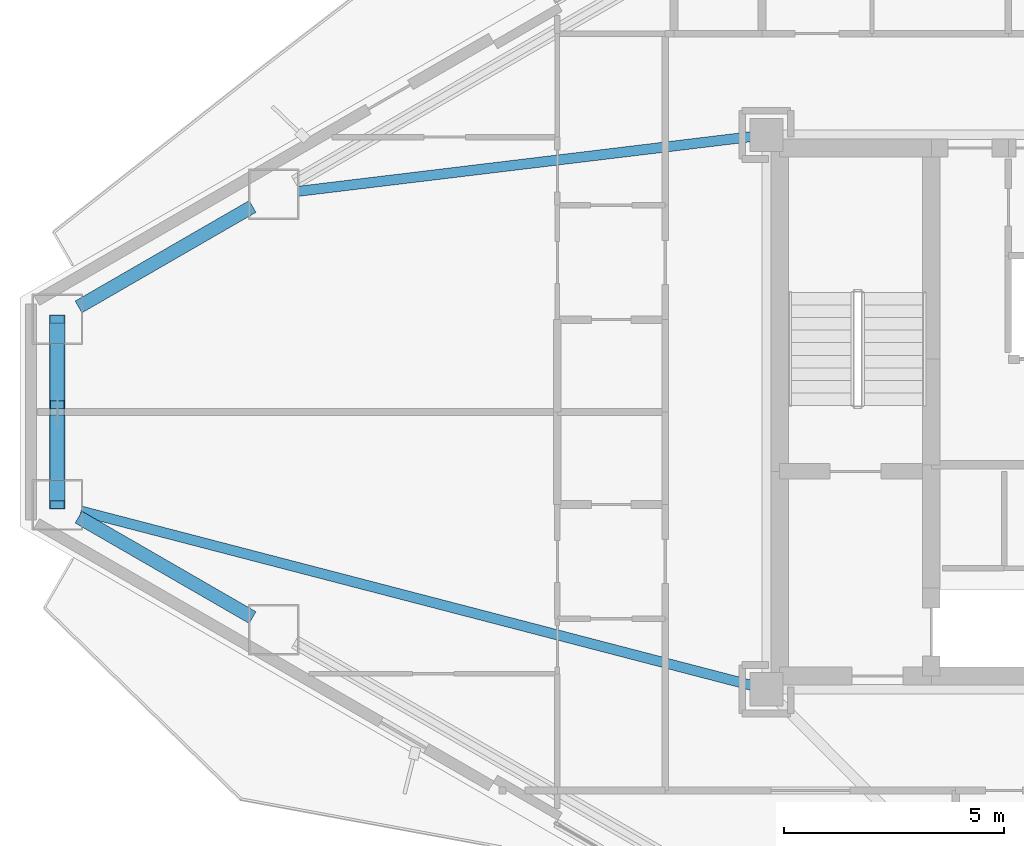
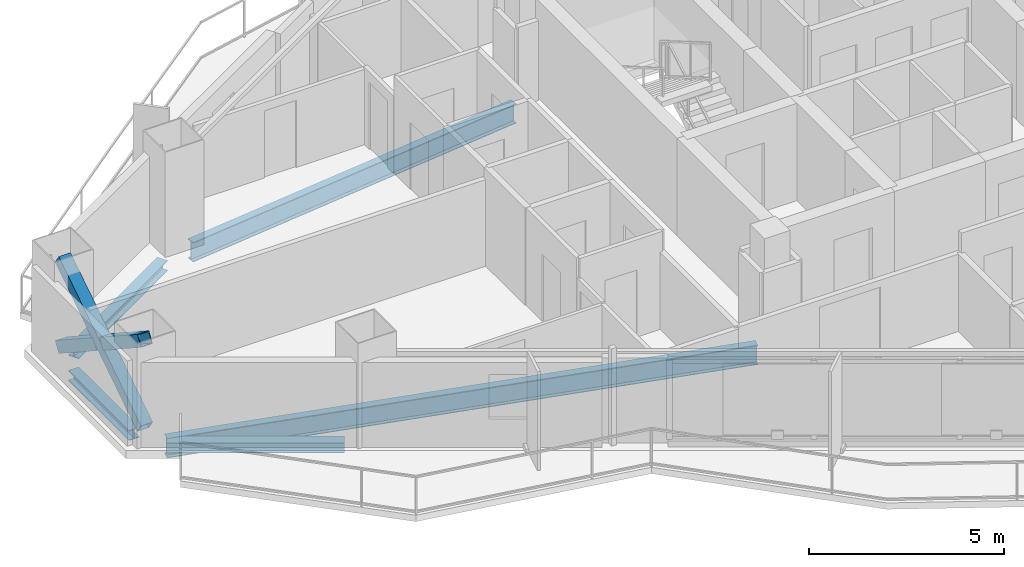
# One storey, part 5 of 23: 5 beams, 3 members.
"""IFC4 building model written with IfcOpenShell, lengths in metres."""

from ifc_helpers import new_model, si_unit, direction, frame, origin, origin_2d, place, context, subcontext, project, spatial, hollow_rectangle, i_section, extrude, material, material_profile, profile_set, type_object, element, save


model = new_model("IFC4")

# Units and contexts
model_context = context("Model", 3, precision=1e-05, world=origin(), true_north=direction((0.0, 1.0)))
body_context = subcontext(model_context, "Body", "Model", "MODEL_VIEW")
ifc_project = project(units=[si_unit("LENGTHUNIT", "METRE"), si_unit("AREAUNIT", "SQUARE_METRE"), si_unit("VOLUMEUNIT", "CUBIC_METRE"), si_unit("PLANEANGLEUNIT", "RADIAN"), si_unit("MASSUNIT", "GRAM", prefix="KILO")], contexts=[model_context])

# Site, building, storey
site_placement = place(None, origin())
site = spatial("IfcSite", under=ifc_project, at=site_placement, CompositionType="ELEMENT")
building_placement = place(site_placement, origin())
building = spatial("IfcBuilding", under=site, at=building_placement, Name="Mersakhor Tower and Convention Hall", CompositionType="ELEMENT")
storey_placement = place(building_placement, frame((0.0, 0.0, 106.5)))
storey = spatial("IfcBuildingStorey", under=building, at=storey_placement, Name="L29", CompositionType="ELEMENT", Elevation=106.5)

# Beams
ifc_material_1 = material(Name="Steel S355", Category="steel")
ifc_material_profile_1 = material_profile(ifc_material_1, i_section(OverallWidth=0.22900390625, OverallDepth=0.6123046875, WebThickness=0.011962890625, FlangeThickness=0.01953125, at=origin_2d()), Name="UB 610x229x125")
ifc_profile_set_1 = profile_set([ifc_material_profile_1], Name="Steel S355")
beam_type_1 = type_object("IfcBeamType", Name="BM-PR-610", PredefinedType="BEAM", material=ifc_profile_set_1)
beam_1_placement = place(storey_placement, frame((21.547607421875, 33.007568359375, -0.55615234375), z_axis=(-0.992798075666, -0.119799753563, 0.0), x_axis=(0.119799753563, -0.992798075666, 0.0)))
element("IfcBeam", 1, at=beam_1_placement, inside=storey, type_object=beam_type_1, Name="L29 Primary Floor Girder FG-1", PredefinedType="BEAM", context=body_context, shape_type="SweptSolid", body=[
    extrude(i_section(OverallWidth=0.22900390625, OverallDepth=0.6123046875, WebThickness=0.011962890625, FlangeThickness=0.01953125, at=origin_2d()), origin(), (0.0, 0.0, 1.0), 10.368896484375),
])
beam_2_placement = place(storey_placement, frame((21.556396484375, 20.539306640625, -0.55615234375), z_axis=(-0.967826964314, 0.251616706812, 0.0), x_axis=(-0.251616706812, -0.967826964314, 0.0)))
element("IfcBeam", 2, at=beam_2_placement, inside=storey, type_object=beam_type_1, Name="L29 Primary Floor Girder FG-6", PredefinedType="BEAM", context=body_context, shape_type="SweptSolid", body=[
    extrude(i_section(OverallWidth=0.22900390625, OverallDepth=0.6123046875, WebThickness=0.011962890625, FlangeThickness=0.01953125, at=origin_2d()), origin(), (0.0, 0.0, 1.0), 15.739013671875),
])
ifc_material_2 = material(Name="Steel S355", Category="steel")
ifc_material_profile_2 = material_profile(ifc_material_2, i_section(OverallWidth=0.30908203125, OverallDepth=0.320556640625, WebThickness=0.013916015625, FlangeThickness=0.021728515625, at=origin_2d()), Name="UC 305x305x137")
ifc_profile_set_2 = profile_set([ifc_material_profile_2], Name="Steel S355")
beam_type_2 = type_object("IfcBeamType", Name="BM-SPD-UC305", PredefinedType="SPANDREL", material=ifc_profile_set_2)
for number, where, z_axis, x_axis, name in (
    (3, (6.267333984375, 29.13818359375, -0.410400390625), (0.866023543838, 0.500003221507, 0.0), (-0.500003221507, 0.866023543838, 0.0), "L29 Perimeter Spandrel Beam SPB-01"),
    (4, (10.221923828125, 22.07861328125, -0.410400390625), (-0.866023543838, 0.500003221507, 0.0), (-0.500003221507, -0.866023543838, 0.0), "L29 Perimeter Spandrel Beam SPB-11"),
):
    element("IfcBeam", number, at=place(storey_placement, frame(where, z_axis=z_axis, x_axis=x_axis)), inside=storey, type_object=beam_type_2, Name=name, PredefinedType="SPANDREL", context=body_context, shape_type="SweptSolid", body=[
        extrude(i_section(OverallWidth=0.30908203125, OverallDepth=0.320556640625, WebThickness=0.013916015625, FlangeThickness=0.021728515625, at=origin_2d()), origin(), (0.0, 0.0, 1.0), 4.56640625),
    ])
beam_3_placement = place(storey_placement, frame((5.78662109375, 25.194091796875, -0.410400390625), z_axis=(0.0, 1.0, 0.0), x_axis=(-1.0, 0.0, 0.0)))
element("IfcBeam", 5, at=beam_3_placement, inside=storey, type_object=beam_type_2, Name="L29 Perimeter Spandrel Beam SPB-12", PredefinedType="SPANDREL", context=body_context, shape_type="SweptSolid", body=[
    extrude(i_section(OverallWidth=0.30908203125, OverallDepth=0.320556640625, WebThickness=0.013916015625, FlangeThickness=0.021728515625, at=origin_2d()), origin(), (0.0, 0.0, 1.0), 3.11181640625),
])

# Members
ifc_material_3 = material(Name="Steel S460", Category="steel")
ifc_material_profile_3 = material_profile(ifc_material_3, hollow_rectangle(XDim=0.35009765625, YDim=0.35009765625, WallThickness=0.02001953125, at=origin_2d()), Name="SHS 350x350x20")
ifc_profile_set_3 = profile_set([ifc_material_profile_3], Name="Steel S460")
member_type = type_object("IfcMemberType", Name="MB-BRC-SHS350", PredefinedType="BRACE", material=ifc_profile_set_3)
member_1_placement = place(storey_placement, frame((5.78662109375, 24.63916015625, 0.14990234375), z_axis=(0.0, 0.837907380789, 0.54581244143), x_axis=(-1.0, 0.0, 0.0)))
element("IfcMember", 6, at=member_1_placement, inside=storey, type_object=member_type, Name="L29 Chamfer Braced Frame Diagonal CB-3A", PredefinedType="BRACE", context=body_context, shape_type="SweptSolid", body=[
    extrude(hollow_rectangle(XDim=0.35009765625, YDim=0.35009765625, WallThickness=0.02001953125, at=origin_2d()), origin(), (0.0, 0.0, 1.0), 5.038330078125),
])
member_2_placement = place(storey_placement, frame((5.78662109375, 28.86083984375, 0.14990234375), z_axis=(0.0, -0.83788056026, 0.54585361292), x_axis=(1.0, 0.0, 0.0)))
element("IfcMember", 7, at=member_2_placement, inside=storey, type_object=member_type, Name="L29 Chamfer Braced Frame Diagonal CB-3B Lower Half", PredefinedType="BRACE", context=body_context, shape_type="SweptSolid", body=[
    extrude(hollow_rectangle(XDim=0.35009765625, YDim=0.35009765625, WallThickness=0.02001953125, at=origin_2d()), origin(), (0.0, 0.0, 1.0), 2.320068359375),
])
member_3_placement = place(storey_placement, frame((5.78662109375, 26.5830078125, 1.6337890625), z_axis=(0.0, -0.837928690032, 0.545779727016), x_axis=(1.0, 0.0, 0.0)))
element("IfcMember", 8, at=member_3_placement, inside=storey, type_object=member_type, Name="L29 Chamfer Braced Frame Diagonal CB-3B Upper Half", PredefinedType="BRACE", context=body_context, shape_type="SweptSolid", body=[
    extrude(hollow_rectangle(XDim=0.35009765625, YDim=0.35009765625, WallThickness=0.02001953125, at=origin_2d()), origin(), (0.0, 0.0, 1.0), 2.31982421875),
])

save(model, "model.ifc")
